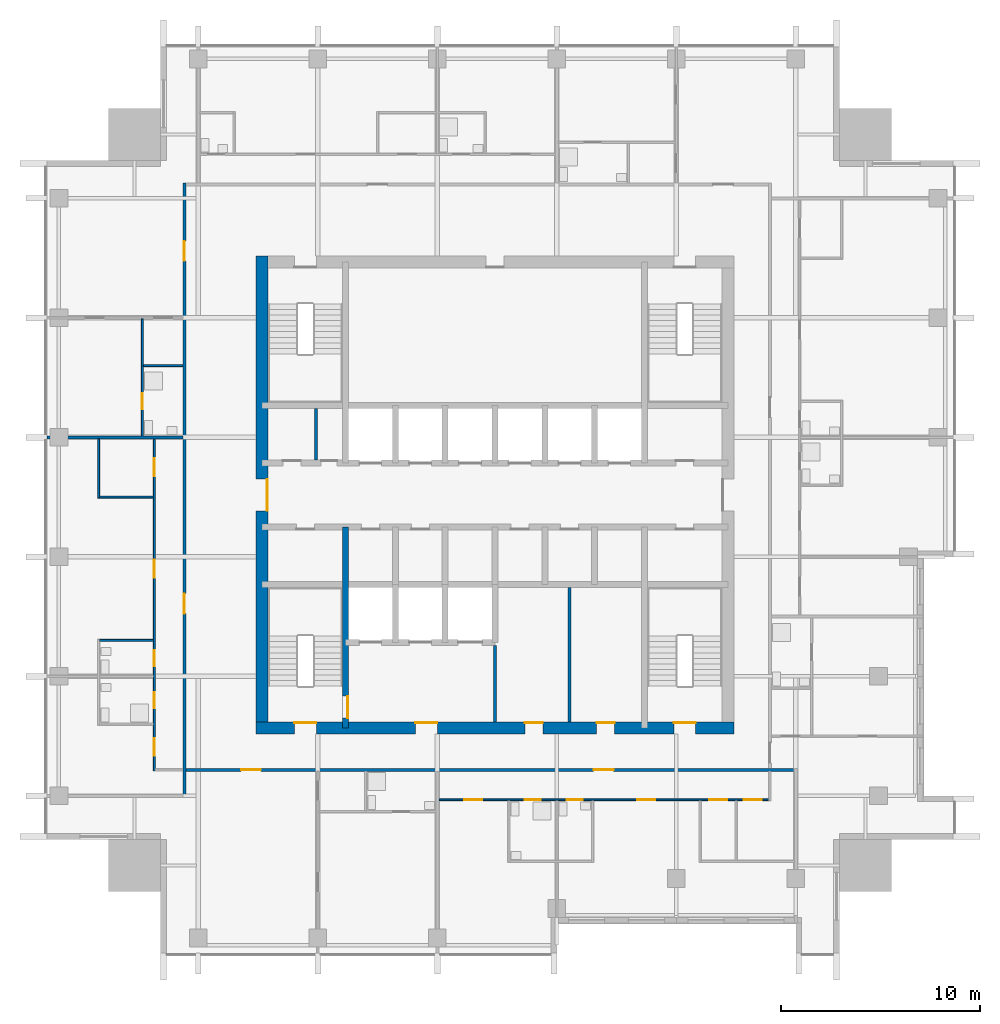
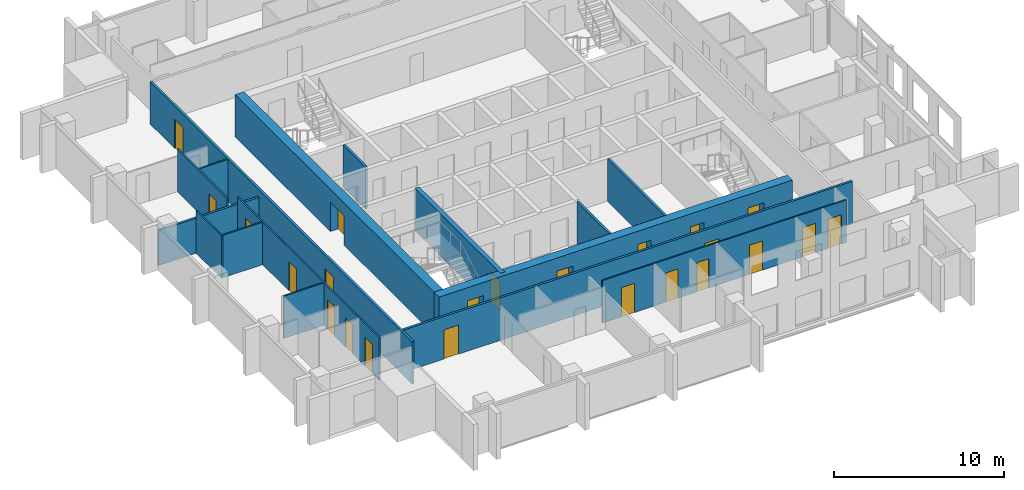
# One storey, part 4 of 11: 23 doors, 16 walls, 23 openings.
"""IFC4 building model written with IfcOpenShell, lengths in metres."""

from ifc_helpers import new_model, si_unit, direction, frame, frame_2d, origin, place, context, subcontext, project, spatial, rectangle, extrude, material, layer, layer_set, type_object, element, fill, save


model = new_model("IFC4")

# Units and contexts
model_context = context("Model", 3, precision=1e-05, world=origin(), true_north=direction((0.0, 1.0)))
body_context = subcontext(model_context, "Body", "Model", "MODEL_VIEW")
ifc_project = project(units=[si_unit("LENGTHUNIT", "METRE"), si_unit("AREAUNIT", "SQUARE_METRE"), si_unit("VOLUMEUNIT", "CUBIC_METRE"), si_unit("PLANEANGLEUNIT", "RADIAN"), si_unit("MASSUNIT", "GRAM", prefix="KILO")], contexts=[model_context])

# Site, building, storey
site_placement = place(None, origin())
site = spatial("IfcSite", under=ifc_project, at=site_placement, CompositionType="ELEMENT")
building_placement = place(site_placement, origin())
building = spatial("IfcBuilding", under=site, at=building_placement, Name="Amberfall Residences", CompositionType="ELEMENT")
storey_placement = place(building_placement, frame((0.0, 0.0, 223.300048828125)))
storey = spatial("IfcBuildingStorey", under=building, at=storey_placement, Name="L60", CompositionType="ELEMENT", Elevation=223.300048828125)

# Wall, opening, door
ifc_material_1 = material(Name="Concrete C55", Category="concrete")
ifc_layer_1 = layer(ifc_material_1, 0.300048828125)
ifc_layer_set_1 = layer_set([ifc_layer_1], Name="Core wall 300 C55")
wall_type_1 = type_object("IfcWallType", Name="Core wall 300 C55", PredefinedType="SHEAR", material=ifc_layer_set_1)
wall_1_placement = place(storey_placement, frame((67.0, 33.800048828125, 0.0), z_axis=(0.0, 0.0, 1.0), x_axis=(0.0, 1.0, 0.0)))
wall_1 = element("IfcWall", 1, at=wall_1_placement, inside=storey, type_object=wall_type_1, Name="Core wall RW8 L60 V45S", PredefinedType="SHEAR", context=body_context, shape_type="SweptSolid", body=[
    extrude(rectangle(XDim=10.099853515625, YDim=0.300048828125, at=frame_2d((5.0498046875, 0.0))), origin(), (0.0, 0.0, 1.0), 3.050048828125),
])
opening_1_placement = place(wall_1_placement, frame((0.5, 0.0, 0.0)))
opening_1 = element("IfcOpeningElement", 2, at=opening_1_placement, cuts=wall_1, Name="Opening FL1", PredefinedType="OPENING", context=body_context, shape_type="SweptSolid", body=[
    extrude(rectangle(XDim=1.10009765625, YDim=2.10009765625, at=frame_2d((0.550048828125, 1.050048828125))), frame((0.0, 0.159912109375, 0.0), z_axis=(0.0, -1.0, 0.0), x_axis=(1.0, 0.0, 0.0)), (0.0, 0.0, 1.0), 0.320068359375),
])
ifc_material_2 = material(Name="Steel fire door set", Category="steel")
door_type_1 = type_object("IfcDoorType", Name="Firefighting lobby door 1100 x 2100", OperationType="SINGLE_SWING_LEFT", PredefinedType="DOOR", material=ifc_material_2)
door_1_placement = place(opening_1_placement, origin())
door_1 = element("IfcDoor", 3, at=door_1_placement, inside=storey, type_object=door_type_1, Name="FL1 L60", OperationType="SINGLE_SWING_RIGHT", OverallHeight=2.10009765625, OverallWidth=1.10009765625, PredefinedType="DOOR", context=body_context, shape_type="SweptSolid", body=[
    extrude(rectangle(XDim=1.10009765625, YDim=2.10009765625, at=frame_2d((0.550048828125, 1.050048828125))), frame((0.0, -0.08740234375, 0.0), z_axis=(0.0, -1.0, 0.0), x_axis=(1.0, 0.0, 0.0)), (0.0, 0.0, 1.0), 0.050048828125),
])
fill(opening_1, door_1)

# Wall, openings, doors
ifc_layer_2 = layer(ifc_material_1, 0.60009765625)
ifc_layer_set_2 = layer_set([ifc_layer_2], Name="Core wall 600 C55")
wall_type_2 = type_object("IfcWallType", Name="Core wall 600 C55", PredefinedType="SHEAR", material=ifc_layer_set_2)
wall_2_placement = place(storey_placement, frame((62.5, 33.800048828125, 0.0), z_axis=(0.0, 0.0, 1.0), x_axis=(1.0, 0.0, 0.0)))
wall_2 = element("IfcWall", 4, at=wall_2_placement, inside=storey, type_object=wall_type_2, Name="Core wall RW7 L60 OS", PredefinedType="SHEAR", context=body_context, shape_type="SweptSolid", body=[
    extrude(rectangle(XDim=24.0, YDim=0.60009765625, at=frame_2d((12.0, 0.0))), origin(), (0.0, 0.0, 1.0), 3.050048828125),
])
opening_2_placement = place(wall_2_placement, frame((1.925048828125, 0.0, 0.0)))
opening_2 = element("IfcOpeningElement", 5, at=opening_2_placement, cuts=wall_2, Name="Opening SD1", PredefinedType="OPENING", context=body_context, shape_type="SweptSolid", body=[
    extrude(rectangle(XDim=1.10009765625, YDim=2.10009765625, at=frame_2d((0.550048828125, 1.050048828125))), frame((0.0, 0.31005859375, 0.0), z_axis=(0.0, -1.0, 0.0), x_axis=(1.0, 0.0, 0.0)), (0.0, 0.0, 1.0), 0.6201171875),
])
opening_3_placement = place(wall_2_placement, frame((20.97509765625, 0.0, 0.0)))
opening_3 = element("IfcOpeningElement", 6, at=opening_3_placement, cuts=wall_2, Name="Opening SD1", PredefinedType="OPENING", context=body_context, shape_type="SweptSolid", body=[
    extrude(rectangle(XDim=1.10009765625, YDim=2.10009765625, at=frame_2d((0.550048828125, 1.050048828125))), frame((0.0, 0.31005859375, 0.0), z_axis=(0.0, -1.0, 0.0), x_axis=(1.0, 0.0, 0.0)), (0.0, 0.0, 1.0), 0.6201171875),
])
opening_4_placement = place(wall_2_placement, frame((8.0, 0.0, 0.0)))
opening_4 = element("IfcOpeningElement", 7, at=opening_4_placement, cuts=wall_2, Name="Opening FL1", PredefinedType="OPENING", context=body_context, shape_type="SweptSolid", body=[
    extrude(rectangle(XDim=1.10009765625, YDim=2.10009765625, at=frame_2d((0.550048828125, 1.050048828125))), frame((0.0, 0.31005859375, 0.0), z_axis=(0.0, -1.0, 0.0), x_axis=(1.0, 0.0, 0.0)), (0.0, 0.0, 1.0), 0.6201171875),
])
opening_5_placement = place(wall_2_placement, frame((13.5, 0.0, 0.0)))
opening_5 = element("IfcOpeningElement", 8, at=opening_5_placement, cuts=wall_2, Name="Opening RD1", PredefinedType="OPENING", context=body_context, shape_type="SweptSolid", body=[
    extrude(rectangle(XDim=0.89990234375, YDim=2.10009765625, at=frame_2d((0.449951171875, 1.050048828125))), frame((0.0, 0.31005859375, 0.0), z_axis=(0.0, -1.0, 0.0), x_axis=(1.0, 0.0, 0.0)), (0.0, 0.0, 1.0), 0.6201171875),
])
opening_6_placement = place(wall_2_placement, frame((17.10009765625, 0.0, 0.0)))
opening_6 = element("IfcOpeningElement", 9, at=opening_6_placement, cuts=wall_2, Name="Opening RD1", PredefinedType="OPENING", context=body_context, shape_type="SweptSolid", body=[
    extrude(rectangle(XDim=0.89990234375, YDim=2.10009765625, at=frame_2d((0.449951171875, 1.050048828125))), frame((0.0, 0.31005859375, 0.0), z_axis=(0.0, -1.0, 0.0), x_axis=(1.0, 0.0, 0.0)), (0.0, 0.0, 1.0), 0.6201171875),
])
door_2_placement = place(opening_4_placement, origin())
door_2 = element("IfcDoor", 10, at=door_2_placement, inside=storey, type_object=door_type_1, Name="FL1 L60", OperationType="SINGLE_SWING_LEFT", OverallHeight=2.10009765625, OverallWidth=1.10009765625, PredefinedType="DOOR", context=body_context, shape_type="SweptSolid", body=[
    extrude(rectangle(XDim=1.10009765625, YDim=2.10009765625, at=frame_2d((0.550048828125, 1.050048828125))), frame((0.0, 0.28759765625, 0.0), z_axis=(0.0, -1.0, 0.0), x_axis=(1.0, 0.0, 0.0)), (0.0, 0.0, 1.0), 0.050048828125),
])
fill(opening_4, door_2)
door_type_2 = type_object("IfcDoorType", Name="Service room door 900 x 2100", OperationType="SINGLE_SWING_LEFT", PredefinedType="DOOR", material=ifc_material_2)
door_3_placement = place(opening_5_placement, origin())
door_3 = element("IfcDoor", 11, at=door_3_placement, inside=storey, type_object=door_type_2, Name="RD1 L60", OperationType="SINGLE_SWING_LEFT", OverallHeight=2.10009765625, OverallWidth=0.89990234375, PredefinedType="DOOR", context=body_context, shape_type="SweptSolid", body=[
    extrude(rectangle(XDim=0.89990234375, YDim=2.10009765625, at=frame_2d((0.449951171875, 1.050048828125))), frame((0.0, 0.28759765625, 0.0), z_axis=(0.0, -1.0, 0.0), x_axis=(1.0, 0.0, 0.0)), (0.0, 0.0, 1.0), 0.050048828125),
])
fill(opening_5, door_3)
door_4_placement = place(opening_6_placement, origin())
door_4 = element("IfcDoor", 12, at=door_4_placement, inside=storey, type_object=door_type_2, Name="RD1 L60", OperationType="SINGLE_SWING_LEFT", OverallHeight=2.10009765625, OverallWidth=0.89990234375, PredefinedType="DOOR", context=body_context, shape_type="SweptSolid", body=[
    extrude(rectangle(XDim=0.89990234375, YDim=2.10009765625, at=frame_2d((0.449951171875, 1.050048828125))), frame((0.0, 0.28759765625, 0.0), z_axis=(0.0, -1.0, 0.0), x_axis=(1.0, 0.0, 0.0)), (0.0, 0.0, 1.0), 0.050048828125),
])
fill(opening_6, door_4)
door_type_3 = type_object("IfcDoorType", Name="Stair door 1100 x 2100", OperationType="SINGLE_SWING_LEFT", PredefinedType="DOOR", material=ifc_material_2)
door_5_placement = place(opening_2_placement, origin())
door_5 = element("IfcDoor", 13, at=door_5_placement, inside=storey, type_object=door_type_3, Name="SD1 L60", OperationType="SINGLE_SWING_LEFT", OverallHeight=2.10009765625, OverallWidth=1.10009765625, PredefinedType="DOOR", context=body_context, shape_type="SweptSolid", body=[
    extrude(rectangle(XDim=1.10009765625, YDim=2.10009765625, at=frame_2d((0.550048828125, 1.050048828125))), frame((0.0, 0.28759765625, 0.0), z_axis=(0.0, -1.0, 0.0), x_axis=(1.0, 0.0, 0.0)), (0.0, 0.0, 1.0), 0.050048828125),
])
fill(opening_2, door_5)
door_6_placement = place(opening_3_placement, origin())
door_6 = element("IfcDoor", 14, at=door_6_placement, inside=storey, type_object=door_type_3, Name="SD1 L60", OperationType="SINGLE_SWING_RIGHT", OverallHeight=2.10009765625, OverallWidth=1.10009765625, PredefinedType="DOOR", context=body_context, shape_type="SweptSolid", body=[
    extrude(rectangle(XDim=1.10009765625, YDim=2.10009765625, at=frame_2d((0.550048828125, 1.050048828125))), frame((0.0, 0.28759765625, 0.0), z_axis=(0.0, -1.0, 0.0), x_axis=(1.0, 0.0, 0.0)), (0.0, 0.0, 1.0), 0.050048828125),
])
fill(opening_3, door_6)

# Wall, opening, door
wall_3_placement = place(storey_placement, frame((62.800048828125, 33.5, 0.0), z_axis=(0.0, 0.0, 1.0), x_axis=(0.0, 1.0, 0.0)))
wall_3 = element("IfcWall", 15, at=wall_3_placement, inside=storey, type_object=wall_type_2, Name="Core wall RW7 L60 OW", PredefinedType="SHEAR", context=body_context, shape_type="SweptSolid", body=[
    extrude(rectangle(XDim=24.0, YDim=0.60009765625, at=frame_2d((12.0, 0.0))), origin(), (0.0, 0.0, 1.0), 3.050048828125),
])
opening_7_placement = place(wall_3_placement, frame((11.199951171875, 0.0, 0.0)))
opening_7 = element("IfcOpeningElement", 16, at=opening_7_placement, cuts=wall_3, Name="Opening LB1", PredefinedType="OPENING", context=body_context, shape_type="SweptSolid", body=[
    extrude(rectangle(XDim=1.60009765625, YDim=2.10009765625, at=frame_2d((0.800048828125, 1.050048828125))), frame((0.0, 0.31005859375, 0.0), z_axis=(0.0, -1.0, 0.0), x_axis=(1.0, 0.0, 0.0)), (0.0, 0.0, 1.0), 0.6201171875),
])
door_type_4 = type_object("IfcDoorType", Name="Lift lobby double door 1600 x 2100", OperationType="DOUBLE_DOOR_SINGLE_SWING", PredefinedType="DOOR", material=ifc_material_2)
door_7_placement = place(opening_7_placement, origin())
door_7 = element("IfcDoor", 17, at=door_7_placement, inside=storey, type_object=door_type_4, Name="LB1 L60", OperationType="DOUBLE_DOOR_SINGLE_SWING", OverallHeight=2.10009765625, OverallWidth=1.60009765625, PredefinedType="DOOR", context=body_context, shape_type="SweptSolid", body=[
    extrude(rectangle(XDim=1.60009765625, YDim=2.10009765625, at=frame_2d((0.800048828125, 1.050048828125))), frame((0.0, -0.2373046875, 0.0), z_axis=(0.0, -1.0, 0.0), x_axis=(1.0, 0.0, 0.0)), (0.0, 0.0, 1.0), 0.050048828125),
])
fill(opening_7, door_7)

# Wall
ifc_material_3 = material(Name="Gypsum board on metal stud")
ifc_layer_3 = layer(ifc_material_3, 0.10009765625)
ifc_layer_set_3 = layer_set([ifc_layer_3], Name="Flat partition 100")
wall_type_3 = type_object("IfcWallType", Name="Flat partition 100", PredefinedType="PARTITIONING", material=ifc_layer_set_3)
wall_4_placement = place(storey_placement, frame((54.60009765625, 45.35009765625, 0.0), z_axis=(0.0, 0.0, 1.0), x_axis=(0.0, 1.0, 0.0)))
element("IfcWall", 18, at=wall_4_placement, inside=storey, type_object=wall_type_3, Name="Partition 002", PredefinedType="PARTITIONING", context=body_context, shape_type="SweptSolid", body=[
    extrude(rectangle(XDim=2.974853515625, YDim=0.10009765625, at=frame_2d((1.4873046875, 0.0))), origin(), (0.0, 0.0, 1.0), 3.050048828125),
])

# Wall, opening, door
wall_5_placement = place(storey_placement, frame((56.800048828125, 54.35009765625, 0.0), z_axis=(0.0, 0.0, 1.0), x_axis=(0.0, -1.0, 0.0)))
wall_5 = element("IfcWall", 19, at=wall_5_placement, inside=storey, type_object=wall_type_3, Name="Partition 003", PredefinedType="PARTITIONING", context=body_context, shape_type="SweptSolid", body=[
    extrude(rectangle(XDim=5.875, YDim=0.10009765625, at=frame_2d((2.9375, 0.0))), origin(), (0.0, 0.0, 1.0), 3.050048828125),
])
opening_8_placement = place(wall_5_placement, frame((3.75, 0.0, 0.0)))
opening_8 = element("IfcOpeningElement", 20, at=opening_8_placement, cuts=wall_5, Name="Opening D42", PredefinedType="OPENING", context=body_context, shape_type="SweptSolid", body=[
    extrude(rectangle(XDim=0.800048828125, YDim=2.10009765625, at=frame_2d((0.39990234375, 1.050048828125))), frame((0.0, 0.06005859375, 0.0), z_axis=(0.0, -1.0, 0.0), x_axis=(1.0, 0.0, 0.0)), (0.0, 0.0, 1.0), 0.1201171875),
])
ifc_material_4 = material(Name="Timber", Category="wood")
door_type_5 = type_object("IfcDoorType", Name="Bathroom door 800 x 2100", OperationType="SINGLE_SWING_LEFT", PredefinedType="DOOR", material=ifc_material_4)
door_8_placement = place(opening_8_placement, origin())
door_8 = element("IfcDoor", 21, at=door_8_placement, inside=storey, type_object=door_type_5, Name="Door 6008 bath1", OperationType="SINGLE_SWING_LEFT", OverallHeight=2.10009765625, OverallWidth=0.800048828125, PredefinedType="DOOR", context=body_context, shape_type="SweptSolid", body=[
    extrude(rectangle(XDim=0.800048828125, YDim=2.10009765625, at=frame_2d((0.39990234375, 1.050048828125))), frame((0.0, 0.02490234375, 0.0), z_axis=(0.0, -1.0, 0.0), x_axis=(1.0, 0.0, 0.0)), (0.0, 0.0, 1.0), 0.050048828125),
])
fill(opening_8, door_8)

# Wall, openings, doors
wall_6_placement = place(storey_placement, frame((57.39990234375, 31.64990234375, 0.0), z_axis=(0.0, 0.0, 1.0), x_axis=(0.0, 1.0, 0.0)))
wall_6 = element("IfcWall", 22, at=wall_6_placement, inside=storey, type_object=wall_type_3, Name="Partition 004", PredefinedType="PARTITIONING", context=body_context, shape_type="SweptSolid", body=[
    extrude(rectangle(XDim=16.675048828125, YDim=0.10009765625, at=frame_2d((8.33740234375, 0.0))), origin(), (0.0, 0.0, 1.0), 3.050048828125),
])
opening_9_placement = place(wall_6_placement, frame((9.699951171875, 0.0, 0.0)))
opening_9 = element("IfcOpeningElement", 23, at=opening_9_placement, cuts=wall_6, Name="Opening D41", PredefinedType="OPENING", context=body_context, shape_type="SweptSolid", body=[
    extrude(rectangle(XDim=0.89990234375, YDim=2.10009765625, at=frame_2d((0.449951171875, 1.050048828125))), frame((0.0, 0.06005859375, 0.0), z_axis=(0.0, -1.0, 0.0), x_axis=(1.0, 0.0, 0.0)), (0.0, 0.0, 1.0), 0.1201171875),
])
opening_10_placement = place(wall_6_placement, frame((14.800048828125, 0.0, 0.0)))
opening_10 = element("IfcOpeningElement", 24, at=opening_10_placement, cuts=wall_6, Name="Opening D41", PredefinedType="OPENING", context=body_context, shape_type="SweptSolid", body=[
    extrude(rectangle(XDim=0.89990234375, YDim=2.10009765625, at=frame_2d((0.449951171875, 1.050048828125))), frame((0.0, 0.06005859375, 0.0), z_axis=(0.0, -1.0, 0.0), x_axis=(1.0, 0.0, 0.0)), (0.0, 0.0, 1.0), 0.1201171875),
])
opening_11_placement = place(wall_6_placement, frame((5.25, 0.0, 0.0)))
opening_11 = element("IfcOpeningElement", 25, at=opening_11_placement, cuts=wall_6, Name="Opening D42", PredefinedType="OPENING", context=body_context, shape_type="SweptSolid", body=[
    extrude(rectangle(XDim=0.800048828125, YDim=2.10009765625, at=frame_2d((0.39990234375, 1.050048828125))), frame((0.0, 0.06005859375, 0.0), z_axis=(0.0, -1.0, 0.0), x_axis=(1.0, 0.0, 0.0)), (0.0, 0.0, 1.0), 0.1201171875),
])
opening_12_placement = place(wall_6_placement, frame((0.75, 0.0, 0.0)))
opening_12 = element("IfcOpeningElement", 26, at=opening_12_placement, cuts=wall_6, Name="Opening D41", PredefinedType="OPENING", context=body_context, shape_type="SweptSolid", body=[
    extrude(rectangle(XDim=0.89990234375, YDim=2.10009765625, at=frame_2d((0.449951171875, 1.050048828125))), frame((0.0, 0.06005859375, 0.0), z_axis=(0.0, -1.0, 0.0), x_axis=(1.0, 0.0, 0.0)), (0.0, 0.0, 1.0), 0.1201171875),
])
opening_13_placement = place(wall_6_placement, frame((3.14990234375, 0.0, 0.0)))
opening_13 = element("IfcOpeningElement", 27, at=opening_13_placement, cuts=wall_6, Name="Opening D42", PredefinedType="OPENING", context=body_context, shape_type="SweptSolid", body=[
    extrude(rectangle(XDim=0.800048828125, YDim=2.10009765625, at=frame_2d((0.39990234375, 1.050048828125))), frame((0.0, 0.06005859375, 0.0), z_axis=(0.0, -1.0, 0.0), x_axis=(1.0, 0.0, 0.0)), (0.0, 0.0, 1.0), 0.1201171875),
])
door_9_placement = place(opening_11_placement, origin())
door_9 = element("IfcDoor", 28, at=door_9_placement, inside=storey, type_object=door_type_5, Name="Door 6007 wc1", OperationType="SINGLE_SWING_LEFT", OverallHeight=2.10009765625, OverallWidth=0.800048828125, PredefinedType="DOOR", context=body_context, shape_type="SweptSolid", body=[
    extrude(rectangle(XDim=0.800048828125, YDim=2.10009765625, at=frame_2d((0.39990234375, 1.050048828125))), frame((0.0, 0.02490234375, 0.0), z_axis=(0.0, -1.0, 0.0), x_axis=(1.0, 0.0, 0.0)), (0.0, 0.0, 1.0), 0.050048828125),
])
fill(opening_11, door_9)
door_10_placement = place(opening_13_placement, origin())
door_10 = element("IfcDoor", 29, at=door_10_placement, inside=storey, type_object=door_type_5, Name="Door 6007 bath1", OperationType="SINGLE_SWING_LEFT", OverallHeight=2.10009765625, OverallWidth=0.800048828125, PredefinedType="DOOR", context=body_context, shape_type="SweptSolid", body=[
    extrude(rectangle(XDim=0.800048828125, YDim=2.10009765625, at=frame_2d((0.39990234375, 1.050048828125))), frame((0.0, 0.02490234375, 0.0), z_axis=(0.0, -1.0, 0.0), x_axis=(1.0, 0.0, 0.0)), (0.0, 0.0, 1.0), 0.050048828125),
])
fill(opening_13, door_10)
door_type_6 = type_object("IfcDoorType", Name="Internal door 900 x 2100", OperationType="SINGLE_SWING_LEFT", PredefinedType="DOOR", material=ifc_material_4)
door_11_placement = place(opening_9_placement, origin())
door_11 = element("IfcDoor", 30, at=door_11_placement, inside=storey, type_object=door_type_6, Name="Door 6007 living", OperationType="SINGLE_SWING_LEFT", OverallHeight=2.10009765625, OverallWidth=0.89990234375, PredefinedType="DOOR", context=body_context, shape_type="SweptSolid", body=[
    extrude(rectangle(XDim=0.89990234375, YDim=2.10009765625, at=frame_2d((0.449951171875, 1.050048828125))), frame((0.0, 0.02490234375, 0.0), z_axis=(0.0, -1.0, 0.0), x_axis=(1.0, 0.0, 0.0)), (0.0, 0.0, 1.0), 0.050048828125),
])
fill(opening_9, door_11)
door_12_placement = place(opening_10_placement, origin())
door_12 = element("IfcDoor", 31, at=door_12_placement, inside=storey, type_object=door_type_6, Name="Door 6007 kitchen", OperationType="SINGLE_SWING_LEFT", OverallHeight=2.10009765625, OverallWidth=0.89990234375, PredefinedType="DOOR", context=body_context, shape_type="SweptSolid", body=[
    extrude(rectangle(XDim=0.89990234375, YDim=2.10009765625, at=frame_2d((0.449951171875, 1.050048828125))), frame((0.0, 0.02490234375, 0.0), z_axis=(0.0, -1.0, 0.0), x_axis=(1.0, 0.0, 0.0)), (0.0, 0.0, 1.0), 0.050048828125),
])
fill(opening_10, door_12)
door_13_placement = place(opening_12_placement, origin())
door_13 = element("IfcDoor", 32, at=door_13_placement, inside=storey, type_object=door_type_6, Name="Door 6007 bedroom1", OperationType="SINGLE_SWING_LEFT", OverallHeight=2.10009765625, OverallWidth=0.89990234375, PredefinedType="DOOR", context=body_context, shape_type="SweptSolid", body=[
    extrude(rectangle(XDim=0.89990234375, YDim=2.10009765625, at=frame_2d((0.449951171875, 1.050048828125))), frame((0.0, 0.02490234375, 0.0), z_axis=(0.0, -1.0, 0.0), x_axis=(1.0, 0.0, 0.0)), (0.0, 0.0, 1.0), 0.050048828125),
])
fill(opening_12, door_13)

# Walls
wall_7_placement = place(storey_placement, frame((56.85009765625, 52.0, 0.0), z_axis=(0.0, 0.0, 1.0), x_axis=(1.0, 0.0, 0.0)))
element("IfcWall", 33, at=wall_7_placement, inside=storey, type_object=wall_type_3, Name="Partition 029", PredefinedType="PARTITIONING", context=body_context, shape_type="SweptSolid", body=[
    extrude(rectangle(XDim=1.974853515625, YDim=0.10009765625, at=frame_2d((0.9873046875, 0.0))), origin(), (0.0, 0.0, 1.0), 3.050048828125),
])
for number, where, z_axis, x_axis, name in (
    (34, (54.64990234375, 45.39990234375, 0.0), (0.0, 0.0, 1.0), (1.0, 0.0, 0.0), "Partition 033"),
    (35, (54.64990234375, 38.199951171875, 0.0), (0.0, 0.0, 1.0), (1.0, 0.0, 0.0), "Partition 035"),
):
    element("IfcWall", number, at=place(storey_placement, frame(where, z_axis=z_axis, x_axis=x_axis)), inside=storey, type_object=wall_type_3, Name=name, PredefinedType="PARTITIONING", context=body_context, shape_type="SweptSolid", body=[
        extrude(rectangle(XDim=2.7001953125, YDim=0.10009765625, at=frame_2d((1.35009765625, 0.0))), origin(), (0.0, 0.0, 1.0), 3.050048828125),
    ])

# Wall, openings, doors
wall_8_placement = place(storey_placement, frame((88.25, 30.199951171875, 0.0), z_axis=(0.0, 0.0, 1.0), x_axis=(-1.0, 0.0, 0.0)))
wall_8 = element("IfcWall", 36, at=wall_8_placement, inside=storey, type_object=wall_type_3, Name="Partition 041", PredefinedType="PARTITIONING", context=body_context, shape_type="SweptSolid", body=[
    extrude(rectangle(XDim=16.574951171875, YDim=0.10009765625, at=frame_2d((8.28759765625, 0.0))), origin(), (0.0, 0.0, 1.0), 3.050048828125),
])
opening_14_placement = place(wall_8_placement, frame((5.699951171875, 0.0, 0.0)))
opening_14 = element("IfcOpeningElement", 37, at=opening_14_placement, cuts=wall_8, Name="Opening D41", PredefinedType="OPENING", context=body_context, shape_type="SweptSolid", body=[
    extrude(rectangle(XDim=0.89990234375, YDim=2.10009765625, at=frame_2d((0.449951171875, 1.050048828125))), frame((0.0, 0.06005859375, 0.0), z_axis=(0.0, -1.0, 0.0), x_axis=(1.0, 0.0, 0.0)), (0.0, 0.0, 1.0), 0.1201171875),
])
opening_15_placement = place(wall_8_placement, frame((0.35009765625, 0.0, 0.0)))
opening_15 = element("IfcOpeningElement", 38, at=opening_15_placement, cuts=wall_8, Name="Opening D41", PredefinedType="OPENING", context=body_context, shape_type="SweptSolid", body=[
    extrude(rectangle(XDim=0.89990234375, YDim=2.10009765625, at=frame_2d((0.449951171875, 1.050048828125))), frame((0.0, 0.06005859375, 0.0), z_axis=(0.0, -1.0, 0.0), x_axis=(1.0, 0.0, 0.0)), (0.0, 0.0, 1.0), 0.1201171875),
])
opening_16_placement = place(wall_8_placement, frame((2.10009765625, 0.0, 0.0)))
opening_16 = element("IfcOpeningElement", 39, at=opening_16_placement, cuts=wall_8, Name="Opening D41", PredefinedType="OPENING", context=body_context, shape_type="SweptSolid", body=[
    extrude(rectangle(XDim=0.89990234375, YDim=2.10009765625, at=frame_2d((0.449951171875, 1.050048828125))), frame((0.0, 0.06005859375, 0.0), z_axis=(0.0, -1.0, 0.0), x_axis=(1.0, 0.0, 0.0)), (0.0, 0.0, 1.0), 0.1201171875),
])
opening_17_placement = place(wall_8_placement, frame((9.35009765625, 0.0, 0.0)))
opening_17 = element("IfcOpeningElement", 40, at=opening_17_placement, cuts=wall_8, Name="Opening D42", PredefinedType="OPENING", context=body_context, shape_type="SweptSolid", body=[
    extrude(rectangle(XDim=0.800048828125, YDim=2.10009765625, at=frame_2d((0.39990234375, 1.050048828125))), frame((0.0, 0.06005859375, 0.0), z_axis=(0.0, -1.0, 0.0), x_axis=(1.0, 0.0, 0.0)), (0.0, 0.0, 1.0), 0.1201171875),
])
opening_18_placement = place(wall_8_placement, frame((14.39990234375, 0.0, 0.0)))
opening_18 = element("IfcOpeningElement", 41, at=opening_18_placement, cuts=wall_8, Name="Opening D41", PredefinedType="OPENING", context=body_context, shape_type="SweptSolid", body=[
    extrude(rectangle(XDim=0.89990234375, YDim=2.10009765625, at=frame_2d((0.449951171875, 1.050048828125))), frame((0.0, 0.06005859375, 0.0), z_axis=(0.0, -1.0, 0.0), x_axis=(1.0, 0.0, 0.0)), (0.0, 0.0, 1.0), 0.1201171875),
])
opening_19_placement = place(wall_8_placement, frame((11.449951171875, 0.0, 0.0)))
opening_19 = element("IfcOpeningElement", 42, at=opening_19_placement, cuts=wall_8, Name="Opening D42", PredefinedType="OPENING", context=body_context, shape_type="SweptSolid", body=[
    extrude(rectangle(XDim=0.800048828125, YDim=2.10009765625, at=frame_2d((0.39990234375, 1.050048828125))), frame((0.0, 0.06005859375, 0.0), z_axis=(0.0, -1.0, 0.0), x_axis=(1.0, 0.0, 0.0)), (0.0, 0.0, 1.0), 0.1201171875),
])
door_14_placement = place(opening_17_placement, origin())
door_14 = element("IfcDoor", 43, at=door_14_placement, inside=storey, type_object=door_type_5, Name="Door 6002 wc1", OperationType="SINGLE_SWING_LEFT", OverallHeight=2.10009765625, OverallWidth=0.800048828125, PredefinedType="DOOR", context=body_context, shape_type="SweptSolid", body=[
    extrude(rectangle(XDim=0.800048828125, YDim=2.10009765625, at=frame_2d((0.39990234375, 1.050048828125))), frame((0.0, 0.02490234375, 0.0), z_axis=(0.0, -1.0, 0.0), x_axis=(1.0, 0.0, 0.0)), (0.0, 0.0, 1.0), 0.050048828125),
])
fill(opening_17, door_14)
door_15_placement = place(opening_19_placement, origin())
door_15 = element("IfcDoor", 44, at=door_15_placement, inside=storey, type_object=door_type_5, Name="Door 6002 bath1", OperationType="SINGLE_SWING_LEFT", OverallHeight=2.10009765625, OverallWidth=0.800048828125, PredefinedType="DOOR", context=body_context, shape_type="SweptSolid", body=[
    extrude(rectangle(XDim=0.800048828125, YDim=2.10009765625, at=frame_2d((0.39990234375, 1.050048828125))), frame((0.0, 0.02490234375, 0.0), z_axis=(0.0, -1.0, 0.0), x_axis=(1.0, 0.0, 0.0)), (0.0, 0.0, 1.0), 0.050048828125),
])
fill(opening_19, door_15)
door_16_placement = place(opening_14_placement, origin())
door_16 = element("IfcDoor", 45, at=door_16_placement, inside=storey, type_object=door_type_6, Name="Door 6002 living", OperationType="SINGLE_SWING_LEFT", OverallHeight=2.10009765625, OverallWidth=0.89990234375, PredefinedType="DOOR", context=body_context, shape_type="SweptSolid", body=[
    extrude(rectangle(XDim=0.89990234375, YDim=2.10009765625, at=frame_2d((0.449951171875, 1.050048828125))), frame((0.0, 0.02490234375, 0.0), z_axis=(0.0, -1.0, 0.0), x_axis=(1.0, 0.0, 0.0)), (0.0, 0.0, 1.0), 0.050048828125),
])
fill(opening_14, door_16)
door_17_placement = place(opening_15_placement, origin())
door_17 = element("IfcDoor", 46, at=door_17_placement, inside=storey, type_object=door_type_6, Name="Door 6002 kitchen", OperationType="SINGLE_SWING_LEFT", OverallHeight=2.10009765625, OverallWidth=0.89990234375, PredefinedType="DOOR", context=body_context, shape_type="SweptSolid", body=[
    extrude(rectangle(XDim=0.89990234375, YDim=2.10009765625, at=frame_2d((0.449951171875, 1.050048828125))), frame((0.0, 0.02490234375, 0.0), z_axis=(0.0, -1.0, 0.0), x_axis=(1.0, 0.0, 0.0)), (0.0, 0.0, 1.0), 0.050048828125),
])
fill(opening_15, door_17)
door_18_placement = place(opening_16_placement, origin())
door_18 = element("IfcDoor", 47, at=door_18_placement, inside=storey, type_object=door_type_6, Name="Door 6002 utility", OperationType="SINGLE_SWING_LEFT", OverallHeight=2.10009765625, OverallWidth=0.89990234375, PredefinedType="DOOR", context=body_context, shape_type="SweptSolid", body=[
    extrude(rectangle(XDim=0.89990234375, YDim=2.10009765625, at=frame_2d((0.449951171875, 1.050048828125))), frame((0.0, 0.02490234375, 0.0), z_axis=(0.0, -1.0, 0.0), x_axis=(1.0, 0.0, 0.0)), (0.0, 0.0, 1.0), 0.050048828125),
])
fill(opening_16, door_18)
door_19_placement = place(opening_18_placement, origin())
door_19 = element("IfcDoor", 48, at=door_19_placement, inside=storey, type_object=door_type_6, Name="Door 6002 bedroom1", OperationType="SINGLE_SWING_LEFT", OverallHeight=2.10009765625, OverallWidth=0.89990234375, PredefinedType="DOOR", context=body_context, shape_type="SweptSolid", body=[
    extrude(rectangle(XDim=0.89990234375, YDim=2.10009765625, at=frame_2d((0.449951171875, 1.050048828125))), frame((0.0, 0.02490234375, 0.0), z_axis=(0.0, -1.0, 0.0), x_axis=(1.0, 0.0, 0.0)), (0.0, 0.0, 1.0), 0.050048828125),
])
fill(opening_18, door_19)

ifc_material_5 = material(Name="Blockwork, plastered", Category="masonry")
ifc_layer_4 = layer(ifc_material_5, 0.14990234375)
ifc_layer_set_4 = layer_set([ifc_layer_4], Name="Flat separating wall 150")
wall_type_4 = type_object("IfcWallType", Name="Flat separating wall 150", PredefinedType="PARTITIONING", material=ifc_layer_set_4)
wall_9_placement = place(storey_placement, frame((58.89990234375, 30.324951171875, 0.0), z_axis=(0.0, 0.0, 1.0), x_axis=(0.0, 1.0, 0.0)))
wall_9 = element("IfcWall", 49, at=wall_9_placement, inside=storey, type_object=wall_type_4, Name="Separating wall 045", PredefinedType="PARTITIONING", context=body_context, shape_type="SweptSolid", body=[
    extrude(rectangle(XDim=30.85009765625, YDim=0.14990234375, at=frame_2d((15.425048828125, 0.0))), origin(), (0.0, 0.0, 1.0), 3.050048828125),
])
opening_20_placement = place(wall_9_placement, frame((9.22509765625, 0.0, 0.0)))
opening_20 = element("IfcOpeningElement", 50, at=opening_20_placement, cuts=wall_9, Name="Opening D40", PredefinedType="OPENING", context=body_context, shape_type="SweptSolid", body=[
    extrude(rectangle(XDim=1.0, YDim=2.10009765625, at=frame_2d((0.5, 1.050048828125))), frame((0.0, 0.0849609375, 0.0), z_axis=(0.0, -1.0, 0.0), x_axis=(1.0, 0.0, 0.0)), (0.0, 0.0, 1.0), 0.169921875),
])
opening_21_placement = place(wall_9_placement, frame((26.925048828125, 0.0, 0.0)))
opening_21 = element("IfcOpeningElement", 51, at=opening_21_placement, cuts=wall_9, Name="Opening D40", PredefinedType="OPENING", context=body_context, shape_type="SweptSolid", body=[
    extrude(rectangle(XDim=1.0, YDim=2.10009765625, at=frame_2d((0.5, 1.050048828125))), frame((0.0, 0.0849609375, 0.0), z_axis=(0.0, -1.0, 0.0), x_axis=(1.0, 0.0, 0.0)), (0.0, 0.0, 1.0), 0.169921875),
])
ifc_material_6 = material(Name="Timber, fire-rated", Category="wood")
door_type_7 = type_object("IfcDoorType", Name="Flat entrance door FD60 1000 x 2100", OperationType="SINGLE_SWING_LEFT", PredefinedType="DOOR", material=ifc_material_6)
door_20_placement = place(opening_20_placement, origin())
door_20 = element("IfcDoor", 52, at=door_20_placement, inside=storey, type_object=door_type_7, Name="Door 6007 entrance", OperationType="SINGLE_SWING_LEFT", OverallHeight=2.10009765625, OverallWidth=1.0, PredefinedType="DOOR", context=body_context, shape_type="SweptSolid", body=[
    extrude(rectangle(XDim=1.0, YDim=2.10009765625, at=frame_2d((0.5, 1.050048828125))), frame((0.0, 0.02490234375, 0.0), z_axis=(0.0, -1.0, 0.0), x_axis=(1.0, 0.0, 0.0)), (0.0, 0.0, 1.0), 0.050048828125),
])
fill(opening_20, door_20)
door_21_placement = place(opening_21_placement, origin())
door_21 = element("IfcDoor", 53, at=door_21_placement, inside=storey, type_object=door_type_7, Name="Door 6008 entrance", OperationType="SINGLE_SWING_LEFT", OverallHeight=2.10009765625, OverallWidth=1.0, PredefinedType="DOOR", context=body_context, shape_type="SweptSolid", body=[
    extrude(rectangle(XDim=1.0, YDim=2.10009765625, at=frame_2d((0.5, 1.050048828125))), frame((0.0, 0.02490234375, 0.0), z_axis=(0.0, -1.0, 0.0), x_axis=(1.0, 0.0, 0.0)), (0.0, 0.0, 1.0), 0.050048828125),
])
fill(opening_21, door_21)

# Wall
wall_10_placement = place(storey_placement, frame((52.0, 48.39990234375, 0.0), z_axis=(0.0, 0.0, 1.0), x_axis=(1.0, 0.0, 0.0)))
element("IfcWall", 54, at=wall_10_placement, inside=storey, type_object=wall_type_4, Name="Separating wall 053", PredefinedType="PARTITIONING", context=body_context, shape_type="SweptSolid", body=[
    extrude(rectangle(XDim=6.824951171875, YDim=0.14990234375, at=frame_2d((3.41259765625, 0.0))), origin(), (0.0, 0.0, 1.0), 2.515869140625),
])

# Wall, openings, doors
wall_11_placement = place(storey_placement, frame((89.52490234375, 31.699951171875, 0.0), z_axis=(0.0, 0.0, 1.0), x_axis=(-1.0, 0.0, 0.0)))
wall_11 = element("IfcWall", 55, at=wall_11_placement, inside=storey, type_object=wall_type_4, Name="Separating wall 055", PredefinedType="PARTITIONING", context=body_context, shape_type="SweptSolid", body=[
    extrude(rectangle(XDim=30.5498046875, YDim=0.14990234375, at=frame_2d((15.27490234375, 0.0))), origin(), (0.0, 0.0, 1.0), 3.050048828125),
])
opening_22_placement = place(wall_11_placement, frame((26.77490234375, 0.0, 0.0)))
opening_22 = element("IfcOpeningElement", 56, at=opening_22_placement, cuts=wall_11, Name="Opening D40", PredefinedType="OPENING", context=body_context, shape_type="SweptSolid", body=[
    extrude(rectangle(XDim=1.0, YDim=2.10009765625, at=frame_2d((0.5, 1.050048828125))), frame((0.0, 0.0849609375, 0.0), z_axis=(0.0, -1.0, 0.0), x_axis=(1.0, 0.0, 0.0)), (0.0, 0.0, 1.0), 0.169921875),
])
opening_23_placement = place(wall_11_placement, frame((9.074951171875, 0.0, 0.0)))
opening_23 = element("IfcOpeningElement", 57, at=opening_23_placement, cuts=wall_11, Name="Opening D40", PredefinedType="OPENING", context=body_context, shape_type="SweptSolid", body=[
    extrude(rectangle(XDim=1.0, YDim=2.10009765625, at=frame_2d((0.5, 1.050048828125))), frame((0.0, 0.0849609375, 0.0), z_axis=(0.0, -1.0, 0.0), x_axis=(1.0, 0.0, 0.0)), (0.0, 0.0, 1.0), 0.169921875),
])
door_22_placement = place(opening_22_placement, origin())
door_22 = element("IfcDoor", 58, at=door_22_placement, inside=storey, type_object=door_type_7, Name="Door 6001 entrance", OperationType="SINGLE_SWING_LEFT", OverallHeight=2.10009765625, OverallWidth=1.0, PredefinedType="DOOR", context=body_context, shape_type="SweptSolid", body=[
    extrude(rectangle(XDim=1.0, YDim=2.10009765625, at=frame_2d((0.5, 1.050048828125))), frame((0.0, 0.02490234375, 0.0), z_axis=(0.0, -1.0, 0.0), x_axis=(1.0, 0.0, 0.0)), (0.0, 0.0, 1.0), 0.050048828125),
])
fill(opening_22, door_22)
door_23_placement = place(opening_23_placement, origin())
door_23 = element("IfcDoor", 59, at=door_23_placement, inside=storey, type_object=door_type_7, Name="Door 6002 entrance", OperationType="SINGLE_SWING_LEFT", OverallHeight=2.10009765625, OverallWidth=1.0, PredefinedType="DOOR", context=body_context, shape_type="SweptSolid", body=[
    extrude(rectangle(XDim=1.0, YDim=2.10009765625, at=frame_2d((0.5, 1.050048828125))), frame((0.0, 0.02490234375, 0.0), z_axis=(0.0, -1.0, 0.0), x_axis=(1.0, 0.0, 0.0)), (0.0, 0.0, 1.0), 0.050048828125),
])
fill(opening_23, door_23)

# Walls
ifc_material_7 = material(Name="Concrete blockwork", Category="masonry")
ifc_layer_5 = layer(ifc_material_7, 0.14990234375)
ifc_layer_set_5 = layer_set([ifc_layer_5], Name="Riser wall 150")
wall_type_5 = type_object("IfcWallType", Name="Riser wall 150", PredefinedType="PLUMBINGWALL", material=ifc_layer_set_5)
wall_12_placement = place(storey_placement, frame((74.5, 34.10009765625, 0.0), z_axis=(0.0, 0.0, 1.0), x_axis=(0.0, 1.0, 0.0)))
element("IfcWall", 60, at=wall_12_placement, inside=storey, type_object=wall_type_5, Name="L60 core wall PX", PredefinedType="PLUMBINGWALL", context=body_context, shape_type="SweptSolid", body=[
    extrude(rectangle(XDim=3.849853515625, YDim=0.14990234375, at=frame_2d((1.9248046875, 0.0))), origin(), (0.0, 0.0, 1.0), 3.050048828125),
])
wall_13_placement = place(storey_placement, frame((78.25, 34.10009765625, 0.0), z_axis=(0.0, 0.0, 1.0), x_axis=(0.0, 1.0, 0.0)))
element("IfcWall", 61, at=wall_13_placement, inside=storey, type_object=wall_type_5, Name="L60 core wall E0", PredefinedType="PLUMBINGWALL", context=body_context, shape_type="SweptSolid", body=[
    extrude(rectangle(XDim=6.75, YDim=0.14990234375, at=frame_2d((3.375, 0.0))), origin(), (0.0, 0.0, 1.0), 3.050048828125),
])
wall_14_placement = place(storey_placement, frame((65.5, 47.25, 0.0), z_axis=(0.0, 0.0, 1.0), x_axis=(0.0, 1.0, 0.0)))
element("IfcWall", 62, at=wall_14_placement, inside=storey, type_object=wall_type_5, Name="L60 core wall ANW0", PredefinedType="PLUMBINGWALL", context=body_context, shape_type="SweptSolid", body=[
    extrude(rectangle(XDim=2.60009765625, YDim=0.14990234375, at=frame_2d((1.300048828125, 0.0))), origin(), (0.0, 0.0, 1.0), 3.050048828125),
])

save(model, "model.ifc")
